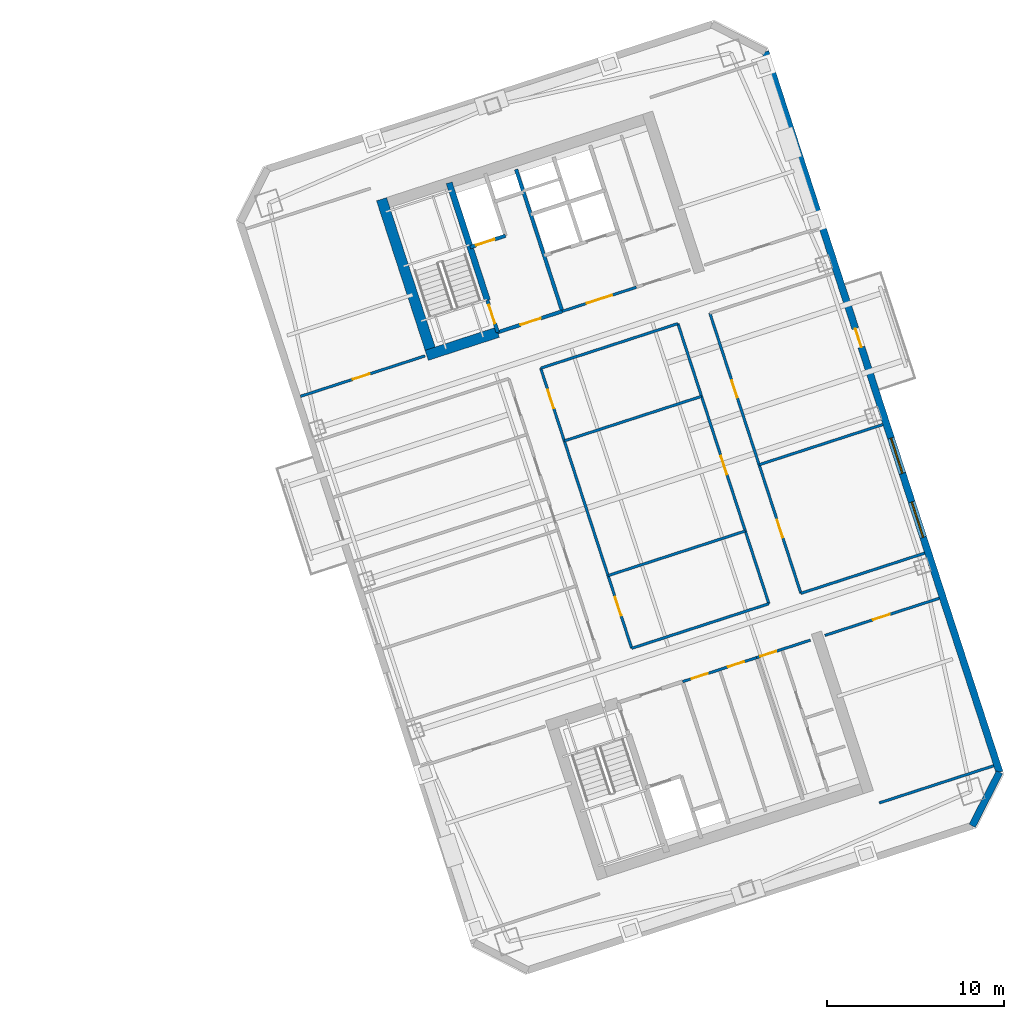
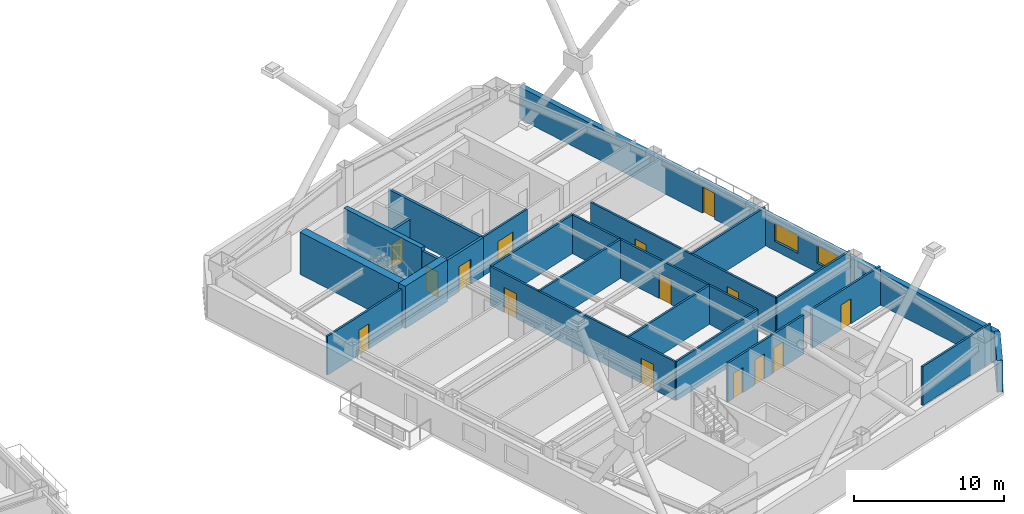
# One storey, part 10 of 17: 24 walls, 15 doors, 2 windows, 17 openings.
"""IFC4 building model written with IfcOpenShell, lengths in metres."""

from ifc_helpers import new_model, si_unit, direction, frame, frame_2d, origin, place, context, subcontext, project, spatial, rectangle, extrude, material, layer, layer_set, type_object, element, fill, save


model = new_model("IFC4")

# Units and contexts
model_context = context("Model", 3, precision=1e-05, world=origin(), true_north=direction((0.0, 1.0)))
body_context = subcontext(model_context, "Body", "Model", "MODEL_VIEW")
ifc_project = project(units=[si_unit("LENGTHUNIT", "METRE"), si_unit("AREAUNIT", "SQUARE_METRE"), si_unit("VOLUMEUNIT", "CUBIC_METRE"), si_unit("PLANEANGLEUNIT", "RADIAN"), si_unit("MASSUNIT", "GRAM", prefix="KILO")], contexts=[model_context])

# Site, building, storey
site_placement = place(None, origin())
site = spatial("IfcSite", under=ifc_project, at=site_placement, CompositionType="ELEMENT")
building_placement = place(site_placement, origin())
building = spatial("IfcBuilding", under=site, at=building_placement, Name="Qiaolan Cultural Towers", CompositionType="ELEMENT")
storey_placement = place(building_placement, frame((0.0, 0.0, 177.10009765625)))
storey = spatial("IfcBuildingStorey", under=building, at=storey_placement, Name="L47", CompositionType="ELEMENT", Elevation=177.10009765625)

# Walls
ifc_material_1 = material(Name="Concrete C50", Category="concrete")
ifc_layer_1 = layer(ifc_material_1, 0.35009765625)
ifc_layer_set_1 = layer_set([ifc_layer_1], Name="Concrete C50")
wall_type_1 = type_object("IfcWallType", Name="WL-CORE-350", PredefinedType="SHEAR", material=ifc_layer_set_1)
wall_1_placement = place(storey_placement, frame((82.513671875, 45.13134765625, 0.0), z_axis=(0.0, 0.0, 1.0), x_axis=(-0.308988790936, 0.951065679686, 0.0)))
element("IfcWall", 1, at=wall_1_placement, inside=storey, type_object=wall_type_1, Name="L47 T2-CN Stair Core Dividing Web", PredefinedType="SHEAR", context=body_context, shape_type="SweptSolid", body=[
    extrude(rectangle(XDim=6.97998046875, YDim=0.35009765625, at=frame_2d((3.489990234375, 0.0))), origin(), (0.0, 0.0, 1.0), 3.449951171875),
])
ifc_material_2 = material(Name="Concrete C55", Category="concrete")
ifc_layer_2 = layer(ifc_material_2, 0.60009765625)
ifc_layer_set_2 = layer_set([ifc_layer_2], Name="Concrete C55")
wall_type_2 = type_object("IfcWallType", Name="WL-CORE-600", PredefinedType="SHEAR", material=ifc_layer_set_2)
wall_2_placement = place(storey_placement, frame((79.465576171875, 41.827880859375, 0.0), z_axis=(0.0, 0.0, 1.0), x_axis=(-0.309041232772, 0.951048640421, 0.0)))
element("IfcWall", 2, at=wall_2_placement, inside=storey, type_object=wall_type_2, Name="L47 T2-CN West Core Shear Wall", PredefinedType="SHEAR", context=body_context, shape_type="SweptSolid", body=[
    extrude(rectangle(XDim=9.47998046875, YDim=0.60009765625, at=frame_2d((4.739990234375, 0.0))), origin(), (0.0, 0.0, 1.0), 3.449951171875),
])
wall_3_placement = place(storey_placement, frame((79.08740234375, 42.0205078125, 0.0), z_axis=(0.0, 0.0, 1.0), x_axis=(0.951062550203, 0.3089984233, 0.0)))
element("IfcWall", 3, at=wall_3_placement, inside=storey, type_object=wall_type_2, Name="L47 T2-CN Stair Front Shear Wall", PredefinedType="SHEAR", context=body_context, shape_type="SweptSolid", body=[
    extrude(rectangle(XDim=4.219970703125, YDim=0.60009765625, at=frame_2d((2.10986328125, 0.0))), origin(), (0.0, 0.0, 1.0), 3.449951171875),
])

# Wall, openings, door, windows
ifc_material_3 = material(Name="Precast Concrete C50 Honed Stone Pier", Category="masonry")
ifc_layer_3 = layer(ifc_material_3, 0.39990234375)
ifc_layer_set_3 = layer_set([ifc_layer_3], Name="Precast Concrete C50 Honed Stone Pier")
wall_type_3 = type_object("IfcWallType", Name="WL-EXT-PIER-400", PredefinedType="SOLIDWALL", material=ifc_layer_set_3)
wall_4_placement = place(storey_placement, frame((98.2236328125, 59.17333984375, 0.0), z_axis=(0.0, 0.0, 1.0), x_axis=(0.309014228706, -0.951057414911, 0.0)))
wall_4 = element("IfcWall", 4, at=wall_4_placement, inside=storey, type_object=wall_type_3, Name="L47 East Tower Precast Pier Facade Wall F5", PredefinedType="SOLIDWALL", context=body_context, shape_type="SweptSolid", body=[
    extrude(rectangle(XDim=42.800048828125, YDim=0.39990234375, at=frame_2d((21.39990234375, 0.0))), origin(), (0.0, 0.0, 1.0), 2.60986328125),
])
opening_1_placement = place(wall_4_placement, frame((26.75, 0.0, 0.75)))
opening_1 = element("IfcOpeningElement", 5, at=opening_1_placement, cuts=wall_4, Name="Opening W-05", PredefinedType="OPENING", context=body_context, shape_type="SweptSolid", body=[
    extrude(rectangle(XDim=2.10009765625, YDim=1.4599609375, at=frame_2d((1.050048828125, 0.72998046875))), frame((0.0, 0.2099609375, 0.0), z_axis=(0.0, -1.0, 0.0), x_axis=(1.0, 0.0, 0.0)), (0.0, 0.0, 1.0), 0.419921875),
])
opening_2_placement = place(wall_4_placement, frame((22.949951171875, 0.0, 0.75)))
opening_2 = element("IfcOpeningElement", 6, at=opening_2_placement, cuts=wall_4, Name="Opening W-05", PredefinedType="OPENING", context=body_context, shape_type="SweptSolid", body=[
    extrude(rectangle(XDim=2.10009765625, YDim=1.4599609375, at=frame_2d((1.050048828125, 0.72998046875))), frame((0.0, 0.2099609375, 0.0), z_axis=(0.0, -1.0, 0.0), x_axis=(1.0, 0.0, 0.0)), (0.0, 0.0, 1.0), 0.419921875),
])
opening_3_placement = place(wall_4_placement, frame((16.449951171875, 0.0, 0.0)))
opening_3 = element("IfcOpeningElement", 7, at=opening_3_placement, cuts=wall_4, Name="Opening BD-01", PredefinedType="OPENING", context=body_context, shape_type="SweptSolid", body=[
    extrude(rectangle(XDim=1.10009765625, YDim=2.14990234375, at=frame_2d((0.550048828125, 1.074951171875))), frame((0.0, 0.2099609375, 0.0), z_axis=(0.0, -1.0, 0.0), x_axis=(1.0, 0.0, 0.0)), (0.0, 0.0, 1.0), 0.419921875),
])
ifc_material_4 = material(Name="Thermally Broken Aluminium Glazed Terrace Door", Category="aluminium")
door_type_1 = type_object("IfcDoorType", Name="DR-BAL-1100", OperationType="NOTDEFINED", PredefinedType="DOOR", material=ifc_material_4)
door_1_placement = place(opening_3_placement, origin())
door_1 = element("IfcDoor", 8, at=door_1_placement, inside=storey, type_object=door_type_1, Name="L47 T2 East Tree Balcony Door", OperationType="SINGLE_SWING_RIGHT", OverallHeight=2.14990234375, OverallWidth=1.10009765625, PredefinedType="DOOR", context=body_context, shape_type="SweptSolid", body=[
    extrude(rectangle(XDim=1.10009765625, YDim=2.14990234375, at=frame_2d((0.550048828125, 1.074951171875))), frame((0.0, 0.02490234375, 0.0), z_axis=(0.0, -1.0, 0.0), x_axis=(1.0, 0.0, 0.0)), (0.0, 0.0, 1.0), 0.050048828125),
])
fill(opening_3, door_1)
ifc_material_5 = material(Name="Thermally Broken Aluminium Triple Low-E Glazing", Category="aluminium")
window_type = type_object("IfcWindowType", Name="WN-CHIC-2100", PartitioningType="SINGLE_PANEL", PredefinedType="WINDOW", material=ifc_material_5)
window_1_placement = place(opening_1_placement, origin())
window_1 = element("IfcWindow", 9, at=window_1_placement, inside=storey, type_object=window_type, Name="L47 T2 E Chicago Bay Window 1", OverallHeight=1.4599609375, OverallWidth=2.10009765625, PartitioningType="TRIPLE_PANEL_VERTICAL", PredefinedType="WINDOW", context=body_context, shape_type="SweptSolid", body=[
    extrude(rectangle(XDim=2.10009765625, YDim=1.4599609375, at=frame_2d((1.050048828125, 0.72998046875))), frame((0.0, 0.030029296875, 0.0), z_axis=(0.0, -1.0, 0.0), x_axis=(1.0, 0.0, 0.0)), (0.0, 0.0, 1.0), 0.06005859375),
])
fill(opening_1, window_1)
window_2_placement = place(opening_2_placement, origin())
window_2 = element("IfcWindow", 10, at=window_2_placement, inside=storey, type_object=window_type, Name="L47 T2 E Chicago Bay Window 2", OverallHeight=1.4599609375, OverallWidth=2.10009765625, PartitioningType="TRIPLE_PANEL_VERTICAL", PredefinedType="WINDOW", context=body_context, shape_type="SweptSolid", body=[
    extrude(rectangle(XDim=2.10009765625, YDim=1.4599609375, at=frame_2d((1.050048828125, 0.72998046875))), frame((0.0, 0.030029296875, 0.0), z_axis=(0.0, -1.0, 0.0), x_axis=(1.0, 0.0, 0.0)), (0.0, 0.0, 1.0), 0.06005859375),
])
fill(opening_2, window_2)

# Wall
wall_5_placement = place(storey_placement, frame((111.449462890625, 18.468017578125, 0.0), z_axis=(0.0, 0.0, 1.0), x_axis=(-0.454019523198, -0.890991735402, 0.0)))
element("IfcWall", 11, at=wall_5_placement, inside=storey, type_object=wall_type_3, Name="L47 East Tower Precast Pier Facade Wall F6", PredefinedType="SOLIDWALL", context=body_context, shape_type="SweptSolid", body=[
    extrude(rectangle(XDim=3.39404296875, YDim=0.39990234375, at=frame_2d((1.697021484375, 0.0))), origin(), (0.0, 0.0, 1.0), 2.60986328125),
])

# Wall, opening, door
ifc_material_6 = material(Name="Concrete C35 Fire Wall", Category="concrete")
ifc_layer_4 = layer(ifc_material_6, 0.199951171875)
ifc_layer_set_4 = layer_set([ifc_layer_4], Name="Concrete C35 Fire Wall")
wall_type_4 = type_object("IfcWallType", Name="WL-FIRE-200", PredefinedType="PARTITIONING", material=ifc_layer_set_4)
wall_6_placement = place(storey_placement, frame((83.100830078125, 43.324462890625, 0.0), z_axis=(0.0, 0.0, 1.0), x_axis=(-0.309048298632, 0.951046344356, 0.0)))
wall_6 = element("IfcWall", 12, at=wall_6_placement, inside=storey, type_object=wall_type_4, Name="L47 T2-CN Smokeproof Stair Entry Wall", PredefinedType="PARTITIONING", context=body_context, shape_type="SweptSolid", body=[
    extrude(rectangle(XDim=1.89990234375, YDim=0.199951171875, at=frame_2d((0.949951171875, 0.0))), origin(), (0.0, 0.0, 1.0), 3.1748046875),
])
opening_4_placement = place(wall_6_placement, frame((0.52001953125, 0.0, 0.0)))
opening_4 = element("IfcOpeningElement", 13, at=opening_4_placement, cuts=wall_6, Name="Opening FD-04", PredefinedType="OPENING", context=body_context, shape_type="SweptSolid", body=[
    extrude(rectangle(XDim=1.10009765625, YDim=2.050048828125, at=frame_2d((0.550048828125, 1.02490234375))), frame((0.0, 0.10986328125, 0.0), z_axis=(0.0, -1.0, 0.0), x_axis=(1.0, 0.0, 0.0)), (0.0, 0.0, 1.0), 0.219970703125),
])
ifc_material_7 = material(Name="Galvanized Steel Command Fire Door", Category="steel")
door_type_2 = type_object("IfcDoorType", Name="DR-FD90-1100", OperationType="NOTDEFINED", PredefinedType="DOOR", material=ifc_material_7)
door_2_placement = place(opening_4_placement, origin())
door_2 = element("IfcDoor", 14, at=door_2_placement, inside=storey, type_object=door_type_2, Name="L47 ST-E2 Smokeproof Stair Fire Door", OperationType="SINGLE_SWING_LEFT", OverallHeight=2.050048828125, OverallWidth=1.10009765625, PredefinedType="DOOR", context=body_context, shape_type="SweptSolid", body=[
    extrude(rectangle(XDim=1.10009765625, YDim=2.050048828125, at=frame_2d((0.550048828125, 1.02490234375))), frame((0.0, 0.02490234375, 0.0), z_axis=(0.0, -1.0, 0.0), x_axis=(1.0, 0.0, 0.0)), (0.0, 0.0, 1.0), 0.050048828125),
])
fill(opening_4, door_2)

# Wall
wall_7_placement = place(storey_placement, frame((86.743408203125, 44.508056640625, 0.0), z_axis=(0.0, 0.0, 1.0), x_axis=(-0.309016001439, 0.951056838919, 0.0)))
element("IfcWall", 15, at=wall_7_placement, inside=storey, type_object=wall_type_4, Name="L47 T2-CN Firefighting Zone Wall", PredefinedType="PARTITIONING", context=body_context, shape_type="SweptSolid", body=[
    extrude(rectangle(XDim=8.429931640625, YDim=0.199951171875, at=frame_2d((4.21484375, 0.0))), origin(), (0.0, 0.0, 1.0), 3.1748046875),
])

# Wall, opening, door
wall_8_placement = place(storey_placement, frame((83.100830078125, 43.324462890625, 0.0), z_axis=(0.0, 0.0, 1.0), x_axis=(0.951052804469, 0.309028417967, 0.0)))
wall_8 = element("IfcWall", 16, at=wall_8_placement, inside=storey, type_object=wall_type_4, Name="L47 T2-CN Firefighting Lobby Front Wall", PredefinedType="PARTITIONING", context=body_context, shape_type="SweptSolid", body=[
    extrude(rectangle(XDim=3.830078125, YDim=0.199951171875, at=frame_2d((1.9150390625, 0.0))), origin(), (0.0, 0.0, 1.0), 3.1748046875),
])
opening_5_placement = place(wall_8_placement, frame((1.35009765625, 0.0, 0.0)))
opening_5 = element("IfcOpeningElement", 17, at=opening_5_placement, cuts=wall_8, Name="Opening FD-03", PredefinedType="OPENING", context=body_context, shape_type="SweptSolid", body=[
    extrude(rectangle(XDim=1.199951171875, YDim=2.050048828125, at=frame_2d((0.60009765625, 1.02490234375))), frame((0.0, 0.10986328125, 0.0), z_axis=(0.0, -1.0, 0.0), x_axis=(1.0, 0.0, 0.0)), (0.0, 0.0, 1.0), 0.219970703125),
])
ifc_material_8 = material(Name="Galvanized Steel Smokeproof Lobby Fire Door", Category="steel")
door_type_3 = type_object("IfcDoorType", Name="DR-FD90-1200", OperationType="NOTDEFINED", PredefinedType="DOOR", material=ifc_material_8)
door_3_placement = place(opening_5_placement, origin())
door_3 = element("IfcDoor", 18, at=door_3_placement, inside=storey, type_object=door_type_3, Name="L47 FFL-E2 Firefighting Lobby Fire Door", OperationType="SINGLE_SWING_LEFT", OverallHeight=2.050048828125, OverallWidth=1.199951171875, PredefinedType="DOOR", context=body_context, shape_type="SweptSolid", body=[
    extrude(rectangle(XDim=1.199951171875, YDim=2.050048828125, at=frame_2d((0.60009765625, 1.02490234375))), frame((0.0, 0.02490234375, 0.0), z_axis=(0.0, -1.0, 0.0), x_axis=(1.0, 0.0, 0.0)), (0.0, 0.0, 1.0), 0.050048828125),
])
fill(opening_5, door_3)

wall_9_placement = place(storey_placement, frame((81.540283203125, 48.127197265625, 0.0), z_axis=(0.0, 0.0, 1.0), x_axis=(0.951062257173, 0.308999325213, 0.0)))
wall_9 = element("IfcWall", 19, at=wall_9_placement, inside=storey, type_object=wall_type_4, Name="L47 T2-CN Firefighting Shaft Front Wall", PredefinedType="PARTITIONING", context=body_context, shape_type="SweptSolid", body=[
    extrude(rectangle(XDim=2.10009765625, YDim=0.199951171875, at=frame_2d((1.050048828125, 0.0))), origin(), (0.0, 0.0, 1.0), 3.1748046875),
])
opening_6_placement = place(wall_9_placement, frame((0.35009765625, 0.0, 0.0)))
opening_6 = element("IfcOpeningElement", 20, at=opening_6_placement, cuts=wall_9, Name="Opening LD-01", PredefinedType="OPENING", context=body_context, shape_type="SweptSolid", body=[
    extrude(rectangle(XDim=1.10009765625, YDim=2.050048828125, at=frame_2d((0.550048828125, 1.02490234375))), frame((0.0, 0.10986328125, 0.0), z_axis=(0.0, -1.0, 0.0), x_axis=(1.0, 0.0, 0.0)), (0.0, 0.0, 1.0), 0.219970703125),
])
ifc_material_9 = material(Name="Brushed Stainless Steel S30408 Centre-Parting Lift Landing Door", Category="steel")
door_type_4 = type_object("IfcDoorType", Name="DR-LIFT-1100", OperationType="NOTDEFINED", PredefinedType="DOOR", material=ifc_material_9)
door_4_placement = place(opening_6_placement, origin())
door_4 = element("IfcDoor", 21, at=door_4_placement, inside=storey, type_object=door_type_4, Name="L47 FFL-E2 Firefighting Lift Landing Door", OperationType="DOUBLE_DOOR_SLIDING", OverallHeight=2.050048828125, OverallWidth=1.10009765625, PredefinedType="DOOR", context=body_context, shape_type="SweptSolid", body=[
    extrude(rectangle(XDim=1.10009765625, YDim=2.050048828125, at=frame_2d((0.550048828125, 1.02490234375))), frame((0.0, 0.02490234375, 0.0), z_axis=(0.0, -1.0, 0.0), x_axis=(1.0, 0.0, 0.0)), (0.0, 0.0, 1.0), 0.050048828125),
])
fill(opening_6, door_4)

# Wall, openings, doors
ifc_material_10 = material(Name="Autoclaved Aerated Concrete Block B06", Category="concrete")
ifc_layer_5 = layer(ifc_material_10, 0.14990234375)
ifc_layer_set_5 = layer_set([ifc_layer_5], Name="Autoclaved Aerated Concrete Block B06")
wall_type_5 = type_object("IfcWallType", Name="WL-PART-150", PredefinedType="PARTITIONING", material=ifc_layer_set_5)
wall_10_placement = place(storey_placement, frame((93.541748046875, 23.584716796875, 0.0), z_axis=(0.0, 0.0, 1.0), x_axis=(0.951063829732, 0.308994485023, 0.0)))
wall_10 = element("IfcWall", 22, at=wall_10_placement, inside=storey, type_object=wall_type_5, Name="L47 T2-CS Reclaimed Core Room Front Wall", PredefinedType="PARTITIONING", context=body_context, shape_type="SweptSolid", body=[
    extrude(rectangle(XDim=4.400146484375, YDim=0.14990234375, at=frame_2d((2.2001953125, 0.0))), origin(), (0.0, 0.0, 1.0), 3.1748046875),
])
opening_7_placement = place(wall_10_placement, frame((0.550048828125, 0.0, 0.0)))
opening_7 = element("IfcOpeningElement", 23, at=opening_7_placement, cuts=wall_10, Name="Opening ID-05", PredefinedType="OPENING", context=body_context, shape_type="SweptSolid", body=[
    extrude(rectangle(XDim=0.949951171875, YDim=2.050048828125, at=frame_2d((0.47509765625, 1.02490234375))), frame((0.0, 0.0849609375, 0.0), z_axis=(0.0, -1.0, 0.0), x_axis=(1.0, 0.0, 0.0)), (0.0, 0.0, 1.0), 0.169921875),
])
opening_8_placement = place(wall_10_placement, frame((2.699951171875, 0.0, 0.0)))
opening_8 = element("IfcOpeningElement", 24, at=opening_8_placement, cuts=wall_10, Name="Opening ID-05", PredefinedType="OPENING", context=body_context, shape_type="SweptSolid", body=[
    extrude(rectangle(XDim=0.949951171875, YDim=2.050048828125, at=frame_2d((0.47509765625, 1.02490234375))), frame((0.0, 0.0849609375, 0.0), z_axis=(0.0, -1.0, 0.0), x_axis=(1.0, 0.0, 0.0)), (0.0, 0.0, 1.0), 0.169921875),
])
ifc_material_11 = material(Name="Fire-Rated Laminate Accessible Core Door", Category="timber")
door_type_5 = type_object("IfcDoorType", Name="DR-INT-950", OperationType="NOTDEFINED", PredefinedType="DOOR", material=ifc_material_11)
door_5_placement = place(opening_7_placement, origin())
door_5 = element("IfcDoor", 25, at=door_5_placement, inside=storey, type_object=door_type_5, Name="L47 Copy Print Room Door", OperationType="SINGLE_SWING_LEFT", OverallHeight=2.050048828125, OverallWidth=0.949951171875, PredefinedType="DOOR", context=body_context, shape_type="SweptSolid", body=[
    extrude(rectangle(XDim=0.949951171875, YDim=2.050048828125, at=frame_2d((0.47509765625, 1.02490234375))), frame((0.0, 0.02490234375, 0.0), z_axis=(0.0, -1.0, 0.0), x_axis=(1.0, 0.0, 0.0)), (0.0, 0.0, 1.0), 0.050048828125),
])
fill(opening_7, door_5)
door_6_placement = place(opening_8_placement, origin())
door_6 = element("IfcDoor", 26, at=door_6_placement, inside=storey, type_object=door_type_5, Name="L47 Tea Pantry Room Door", OperationType="SINGLE_SWING_RIGHT", OverallHeight=2.050048828125, OverallWidth=0.949951171875, PredefinedType="DOOR", context=body_context, shape_type="SweptSolid", body=[
    extrude(rectangle(XDim=0.949951171875, YDim=2.050048828125, at=frame_2d((0.47509765625, 1.02490234375))), frame((0.0, 0.02490234375, 0.0), z_axis=(0.0, -1.0, 0.0), x_axis=(1.0, 0.0, 0.0)), (0.0, 0.0, 1.0), 0.050048828125),
])
fill(opening_8, door_6)

# Wall, opening, door
wall_11_placement = place(storey_placement, frame((97.7265625, 24.9443359375, 0.0), z_axis=(0.0, 0.0, 1.0), x_axis=(0.951036872128, 0.309077446369, 0.0)))
wall_11 = element("IfcWall", 27, at=wall_11_placement, inside=storey, type_object=wall_type_5, Name="L47 T2-CS Sanitary Core Front Wall", PredefinedType="PARTITIONING", context=body_context, shape_type="SweptSolid", body=[
    extrude(rectangle(XDim=3.199951171875, YDim=0.14990234375, at=frame_2d((1.60009765625, 0.0))), origin(), (0.0, 0.0, 1.0), 3.1748046875),
])
opening_9_placement = place(wall_11_placement, frame((0.219970703125, 0.0, 0.0)))
opening_9 = element("IfcOpeningElement", 28, at=opening_9_placement, cuts=wall_11, Name="Opening ID-05", PredefinedType="OPENING", context=body_context, shape_type="SweptSolid", body=[
    extrude(rectangle(XDim=0.949951171875, YDim=2.050048828125, at=frame_2d((0.47509765625, 1.02490234375))), frame((0.0, 0.0849609375, 0.0), z_axis=(0.0, -1.0, 0.0), x_axis=(1.0, 0.0, 0.0)), (0.0, 0.0, 1.0), 0.169921875),
])
door_7_placement = place(opening_9_placement, origin())
door_7 = element("IfcDoor", 29, at=door_7_placement, inside=storey, type_object=door_type_5, Name="L47 Sanitary Vestibule Door", OperationType="SINGLE_SWING_LEFT", OverallHeight=2.050048828125, OverallWidth=0.949951171875, PredefinedType="DOOR", context=body_context, shape_type="SweptSolid", body=[
    extrude(rectangle(XDim=0.949951171875, YDim=2.050048828125, at=frame_2d((0.47509765625, 1.02490234375))), frame((0.0, 0.02490234375, 0.0), z_axis=(0.0, -1.0, 0.0), x_axis=(1.0, 0.0, 0.0)), (0.0, 0.0, 1.0), 0.050048828125),
])
fill(opening_9, door_7)

wall_12_placement = place(storey_placement, frame((86.743408203125, 44.508056640625, 0.0), z_axis=(0.0, 0.0, 1.0), x_axis=(0.951063829732, 0.308994485023, 0.0)))
wall_12 = element("IfcWall", 30, at=wall_12_placement, inside=storey, type_object=wall_type_5, Name="L47 T2-CN Passenger Lift Lobby Front Wall", PredefinedType="PARTITIONING", context=body_context, shape_type="SweptSolid", body=[
    extrude(rectangle(XDim=4.400146484375, YDim=0.14990234375, at=frame_2d((2.2001953125, 0.0))), origin(), (0.0, 0.0, 1.0), 3.1748046875),
])
opening_10_placement = place(wall_12_placement, frame((1.449951171875, 0.0, 0.0)))
opening_10 = element("IfcOpeningElement", 31, at=opening_10_placement, cuts=wall_12, Name="Opening FD-05", PredefinedType="OPENING", context=body_context, shape_type="SweptSolid", body=[
    extrude(rectangle(XDim=1.5, YDim=2.050048828125, at=frame_2d((0.75, 1.02490234375))), frame((0.0, 0.0849609375, 0.0), z_axis=(0.0, -1.0, 0.0), x_axis=(1.0, 0.0, 0.0)), (0.0, 0.0, 1.0), 0.169921875),
])
ifc_material_12 = material(Name="Painted Steel Lift Lobby Fire Door", Category="steel")
door_type_6 = type_object("IfcDoorType", Name="DR-FD60-1500", OperationType="NOTDEFINED", PredefinedType="DOOR", material=ifc_material_12)
door_8_placement = place(opening_10_placement, origin())
door_8 = element("IfcDoor", 32, at=door_8_placement, inside=storey, type_object=door_type_6, Name="L47 Passenger Lift Lobby Entrance", OperationType="SINGLE_SWING_LEFT", OverallHeight=2.050048828125, OverallWidth=1.5, PredefinedType="DOOR", context=body_context, shape_type="SweptSolid", body=[
    extrude(rectangle(XDim=1.5, YDim=2.050048828125, at=frame_2d((0.75, 1.02490234375))), frame((0.0, 0.02490234375, 0.0), z_axis=(0.0, -1.0, 0.0), x_axis=(1.0, 0.0, 0.0)), (0.0, 0.0, 1.0), 0.050048828125),
])
fill(opening_10, door_8)

# Wall
wall_13_placement = place(storey_placement, frame((104.653076171875, 16.73291015625, 0.0), z_axis=(0.0, 0.0, 1.0), x_axis=(0.951054383043, 0.309023559774, 0.0)))
element("IfcWall", 33, at=wall_13_placement, inside=storey, type_object=wall_type_5, Name="L47 T2 Flank Wall FLK-SE", PredefinedType="PARTITIONING", context=body_context, shape_type="SweptSolid", body=[
    extrude(rectangle(XDim=6.7998046875, YDim=0.14990234375, at=frame_2d((3.39990234375, 0.0))), origin(), (0.0, 0.0, 1.0), 3.1748046875),
])

# Wall, opening, door
wall_14_placement = place(storey_placement, frame((101.578369140625, 26.196044921875, 0.0), z_axis=(0.0, 0.0, 1.0), x_axis=(0.951064934653, 0.308991084134, 0.0)))
wall_14 = element("IfcWall", 34, at=wall_14_placement, inside=storey, type_object=wall_type_5, Name="L47 T2 Flank Front FLK-SE", PredefinedType="PARTITIONING", context=body_context, shape_type="SweptSolid", body=[
    extrude(rectangle(XDim=6.7998046875, YDim=0.14990234375, at=frame_2d((3.39990234375, 0.0))), origin(), (0.0, 0.0, 1.0), 3.1748046875),
])
opening_11_placement = place(wall_14_placement, frame((2.85595703125, 0.0, 0.0)))
opening_11 = element("IfcOpeningElement", 35, at=opening_11_placement, cuts=wall_14, Name="Opening ID-04", PredefinedType="OPENING", context=body_context, shape_type="SweptSolid", body=[
    extrude(rectangle(XDim=1.0, YDim=2.050048828125, at=frame_2d((0.5, 1.02490234375))), frame((0.0, 0.0849609375, 0.0), z_axis=(0.0, -1.0, 0.0), x_axis=(1.0, 0.0, 0.0)), (0.0, 0.0, 1.0), 0.169921875),
])
ifc_material_13 = material(Name="Oak Veneer Acoustic Office Door", Category="timber")
door_type_7 = type_object("IfcDoorType", Name="DR-INT-1000", OperationType="NOTDEFINED", PredefinedType="DOOR", material=ifc_material_13)
door_9_placement = place(opening_11_placement, origin())
door_9 = element("IfcDoor", 36, at=door_9_placement, inside=storey, type_object=door_type_7, Name="L47 T2 Corner Studio Door", OperationType="SINGLE_SWING_LEFT", OverallHeight=2.050048828125, OverallWidth=1.0, PredefinedType="DOOR", context=body_context, shape_type="SweptSolid", body=[
    extrude(rectangle(XDim=1.0, YDim=2.050048828125, at=frame_2d((0.5, 1.02490234375))), frame((0.0, 0.02490234375, 0.0), z_axis=(0.0, -1.0, 0.0), x_axis=(1.0, 0.0, 0.0)), (0.0, 0.0, 1.0), 0.050048828125),
])
fill(opening_11, door_9)

wall_15_placement = place(storey_placement, frame((71.95458984375, 39.702880859375, 0.0), z_axis=(0.0, 0.0, 1.0), x_axis=(0.951060977215, 0.309003264738, 0.0)))
wall_15 = element("IfcWall", 37, at=wall_15_placement, inside=storey, type_object=wall_type_5, Name="L47 T2 Flank Front FLK-NW", PredefinedType="PARTITIONING", context=body_context, shape_type="SweptSolid", body=[
    extrude(rectangle(XDim=7.39990234375, YDim=0.14990234375, at=frame_2d((3.699951171875, 0.0))), origin(), (0.0, 0.0, 1.0), 3.1748046875),
])
opening_12_placement = place(wall_15_placement, frame((3.10791015625, 0.0, 0.0)))
opening_12 = element("IfcOpeningElement", 38, at=opening_12_placement, cuts=wall_15, Name="Opening ID-04", PredefinedType="OPENING", context=body_context, shape_type="SweptSolid", body=[
    extrude(rectangle(XDim=1.0, YDim=2.050048828125, at=frame_2d((0.5, 1.02490234375))), frame((0.0, 0.0849609375, 0.0), z_axis=(0.0, -1.0, 0.0), x_axis=(1.0, 0.0, 0.0)), (0.0, 0.0, 1.0), 0.169921875),
])
door_10_placement = place(opening_12_placement, origin())
door_10 = element("IfcDoor", 39, at=door_10_placement, inside=storey, type_object=door_type_7, Name="L47 T2 Corner Studio Door", OperationType="SINGLE_SWING_LEFT", OverallHeight=2.050048828125, OverallWidth=1.0, PredefinedType="DOOR", context=body_context, shape_type="SweptSolid", body=[
    extrude(rectangle(XDim=1.0, YDim=2.050048828125, at=frame_2d((0.5, 1.02490234375))), frame((0.0, 0.02490234375, 0.0), z_axis=(0.0, -1.0, 0.0), x_axis=(1.0, 0.0, 0.0)), (0.0, 0.0, 1.0), 0.050048828125),
])
fill(opening_12, door_10)

# Walls
wall_16_placement = place(storey_placement, frame((90.6689453125, 25.46923828125, 0.0), z_axis=(0.0, 0.0, 1.0), x_axis=(0.95106136293, 0.309002077568, 0.0)))
element("IfcWall", 40, at=wall_16_placement, inside=storey, type_object=wall_type_5, Name="L47 T2 Interior Wall", PredefinedType="PARTITIONING", context=body_context, shape_type="SweptSolid", body=[
    extrude(rectangle(XDim=8.14990234375, YDim=0.14990234375, at=frame_2d((4.074951171875, 0.0))), origin(), (0.0, 0.0, 1.0), 3.1748046875),
])
wall_17_placement = place(storey_placement, frame((100.22705078125, 28.57470703125, 0.0), z_axis=(0.0, 0.0, 1.0), x_axis=(0.95104773735, 0.309044011885, 0.0)))
element("IfcWall", 41, at=wall_17_placement, inside=storey, type_object=wall_type_5, Name="L47 T2 Interior Wall", PredefinedType="PARTITIONING", context=body_context, shape_type="SweptSolid", body=[
    extrude(rectangle(XDim=7.35009765625, YDim=0.14990234375, at=frame_2d((3.675048828125, 0.0))), origin(), (0.0, 0.0, 1.0), 3.1748046875),
])
wall_18_placement = place(storey_placement, frame((85.52685546875, 41.294677734375, 0.0), z_axis=(0.0, 0.0, 1.0), x_axis=(0.951055419664, 0.309020369437, 0.0)))
element("IfcWall", 42, at=wall_18_placement, inside=storey, type_object=wall_type_5, Name="L47 T2 Interior Wall", PredefinedType="PARTITIONING", context=body_context, shape_type="SweptSolid", body=[
    extrude(rectangle(XDim=8.150146484375, YDim=0.14990234375, at=frame_2d((4.0751953125, 0.0))), origin(), (0.0, 0.0, 1.0), 3.1748046875),
])

# Wall, openings, doors
wall_19_placement = place(storey_placement, frame((90.6689453125, 25.46923828125, 0.0), z_axis=(0.0, 0.0, 1.0), x_axis=(-0.309022042254, 0.951054876125, 0.0)))
wall_19 = element("IfcWall", 43, at=wall_19_placement, inside=storey, type_object=wall_type_5, Name="L47 T2 Interior Wall", PredefinedType="PARTITIONING", context=body_context, shape_type="SweptSolid", body=[
    extrude(rectangle(XDim=16.639892578125, YDim=0.14990234375, at=frame_2d((8.31982421875, 0.0))), origin(), (0.0, 0.0, 1.0), 3.1748046875),
])
opening_13_placement = place(wall_19_placement, frame((1.944091796875, 0.0, 0.0)))
opening_13 = element("IfcOpeningElement", 44, at=opening_13_placement, cuts=wall_19, Name="Opening ID-03", PredefinedType="OPENING", context=body_context, shape_type="SweptSolid", body=[
    extrude(rectangle(XDim=1.10009765625, YDim=2.050048828125, at=frame_2d((0.550048828125, 1.02490234375))), frame((0.0, 0.0849609375, 0.0), z_axis=(0.0, -1.0, 0.0), x_axis=(1.0, 0.0, 0.0)), (0.0, 0.0, 1.0), 0.169921875),
])
opening_14_placement = place(wall_19_placement, frame((14.263916015625, 0.0, 0.0)))
opening_14 = element("IfcOpeningElement", 45, at=opening_14_placement, cuts=wall_19, Name="Opening ID-03", PredefinedType="OPENING", context=body_context, shape_type="SweptSolid", body=[
    extrude(rectangle(XDim=1.10009765625, YDim=2.050048828125, at=frame_2d((0.550048828125, 1.02490234375))), frame((0.0, 0.0849609375, 0.0), z_axis=(0.0, -1.0, 0.0), x_axis=(1.0, 0.0, 0.0)), (0.0, 0.0, 1.0), 0.169921875),
])
ifc_material_14 = material(Name="Oak Veneer Solid-Core Boardroom Door", Category="timber")
door_type_8 = type_object("IfcDoorType", Name="DR-INT-1100", OperationType="NOTDEFINED", PredefinedType="DOOR", material=ifc_material_14)
door_11_placement = place(opening_13_placement, origin())
door_11 = element("IfcDoor", 46, at=door_11_placement, inside=storey, type_object=door_type_8, Name="L47 T2 Central Boardroom Door", OperationType="SINGLE_SWING_LEFT", OverallHeight=2.050048828125, OverallWidth=1.10009765625, PredefinedType="DOOR", context=body_context, shape_type="SweptSolid", body=[
    extrude(rectangle(XDim=1.10009765625, YDim=2.050048828125, at=frame_2d((0.550048828125, 1.02490234375))), frame((0.0, 0.02490234375, 0.0), z_axis=(0.0, -1.0, 0.0), x_axis=(1.0, 0.0, 0.0)), (0.0, 0.0, 1.0), 0.050048828125),
])
fill(opening_13, door_11)
door_12_placement = place(opening_14_placement, origin())
door_12 = element("IfcDoor", 47, at=door_12_placement, inside=storey, type_object=door_type_8, Name="L47 T2 Central Archive Room Door", OperationType="SINGLE_SWING_RIGHT", OverallHeight=2.050048828125, OverallWidth=1.10009765625, PredefinedType="DOOR", context=body_context, shape_type="SweptSolid", body=[
    extrude(rectangle(XDim=1.10009765625, YDim=2.050048828125, at=frame_2d((0.550048828125, 1.02490234375))), frame((0.0, 0.02490234375, 0.0), z_axis=(0.0, -1.0, 0.0), x_axis=(1.0, 0.0, 0.0)), (0.0, 0.0, 1.0), 0.050048828125),
])
fill(opening_14, door_12)

# Wall, opening, door
wall_20_placement = place(storey_placement, frame((98.419921875, 27.987548828125, 0.0), z_axis=(0.0, 0.0, 1.0), x_axis=(-0.309004459387, 0.951060589068, 0.0)))
wall_20 = element("IfcWall", 48, at=wall_20_placement, inside=storey, type_object=wall_type_5, Name="L47 T2 Interior Wall", PredefinedType="PARTITIONING", context=body_context, shape_type="SweptSolid", body=[
    extrude(rectangle(XDim=16.64013671875, YDim=0.14990234375, at=frame_2d((8.320068359375, 0.0))), origin(), (0.0, 0.0, 1.0), 3.1748046875),
])
opening_15_placement = place(wall_20_placement, frame((7.679931640625, 0.0, 0.0)))
opening_15 = element("IfcOpeningElement", 49, at=opening_15_placement, cuts=wall_20, Name="Opening ID-03", PredefinedType="OPENING", context=body_context, shape_type="SweptSolid", body=[
    extrude(rectangle(XDim=1.10009765625, YDim=2.050048828125, at=frame_2d((0.550048828125, 1.02490234375))), frame((0.0, 0.0849609375, 0.0), z_axis=(0.0, -1.0, 0.0), x_axis=(1.0, 0.0, 0.0)), (0.0, 0.0, 1.0), 0.169921875),
])
door_13_placement = place(opening_15_placement, origin())
door_13 = element("IfcDoor", 50, at=door_13_placement, inside=storey, type_object=door_type_8, Name="L47 T2 Central Study Salon Door", OperationType="SINGLE_SWING_LEFT", OverallHeight=2.050048828125, OverallWidth=1.10009765625, PredefinedType="DOOR", context=body_context, shape_type="SweptSolid", body=[
    extrude(rectangle(XDim=1.10009765625, YDim=2.050048828125, at=frame_2d((0.550048828125, 1.02490234375))), frame((0.0, 0.02490234375, 0.0), z_axis=(0.0, -1.0, 0.0), x_axis=(1.0, 0.0, 0.0)), (0.0, 0.0, 1.0), 0.050048828125),
])
fill(opening_15, door_13)

# Wall, openings, doors
wall_21_placement = place(storey_placement, frame((100.22705078125, 28.57470703125, 0.0), z_axis=(0.0, 0.0, 1.0), x_axis=(-0.30901773025, 0.951056277195, 0.0)))
wall_21 = element("IfcWall", 51, at=wall_21_placement, inside=storey, type_object=wall_type_5, Name="L47 T2 Interior Wall", PredefinedType="PARTITIONING", context=body_context, shape_type="SweptSolid", body=[
    extrude(rectangle(XDim=16.64013671875, YDim=0.14990234375, at=frame_2d((8.320068359375, 0.0))), origin(), (0.0, 0.0, 1.0), 3.1748046875),
])
opening_16_placement = place(wall_21_placement, frame((3.320068359375, 0.0, 0.0)))
opening_16 = element("IfcOpeningElement", 52, at=opening_16_placement, cuts=wall_21, Name="Opening ID-07", PredefinedType="OPENING", context=body_context, shape_type="SweptSolid", body=[
    extrude(rectangle(XDim=1.050048828125, YDim=2.050048828125, at=frame_2d((0.52490234375, 1.02490234375))), frame((0.0, 0.0849609375, 0.0), z_axis=(0.0, -1.0, 0.0), x_axis=(1.0, 0.0, 0.0)), (0.0, 0.0, 1.0), 0.169921875),
])
opening_17_placement = place(wall_21_placement, frame((11.639892578125, 0.0, 0.0)))
opening_17 = element("IfcOpeningElement", 53, at=opening_17_placement, cuts=wall_21, Name="Opening ID-04", PredefinedType="OPENING", context=body_context, shape_type="SweptSolid", body=[
    extrude(rectangle(XDim=1.0, YDim=2.050048828125, at=frame_2d((0.5, 1.02490234375))), frame((0.0, 0.0849609375, 0.0), z_axis=(0.0, -1.0, 0.0), x_axis=(1.0, 0.0, 0.0)), (0.0, 0.0, 1.0), 0.169921875),
])
door_14_placement = place(opening_17_placement, origin())
door_14 = element("IfcDoor", 54, at=door_14_placement, inside=storey, type_object=door_type_7, Name="L47 T2 Media Studio Office Door", OperationType="SINGLE_SWING_LEFT", OverallHeight=2.050048828125, OverallWidth=1.0, PredefinedType="DOOR", context=body_context, shape_type="SweptSolid", body=[
    extrude(rectangle(XDim=1.0, YDim=2.050048828125, at=frame_2d((0.5, 1.02490234375))), frame((0.0, 0.02490234375, 0.0), z_axis=(0.0, -1.0, 0.0), x_axis=(1.0, 0.0, 0.0)), (0.0, 0.0, 1.0), 0.050048828125),
])
fill(opening_17, door_14)
ifc_material_15 = material(Name="Oak Veneer Consultation Door", Category="timber")
door_type_9 = type_object("IfcDoorType", Name="DR-INT-1050", OperationType="NOTDEFINED", PredefinedType="DOOR", material=ifc_material_15)
door_15_placement = place(opening_16_placement, origin())
door_15 = element("IfcDoor", 55, at=door_15_placement, inside=storey, type_object=door_type_9, Name="L47 T2 Wellness & Rest Room Door", OperationType="SINGLE_SWING_RIGHT", OverallHeight=2.050048828125, OverallWidth=1.050048828125, PredefinedType="DOOR", context=body_context, shape_type="SweptSolid", body=[
    extrude(rectangle(XDim=1.050048828125, YDim=2.050048828125, at=frame_2d((0.52490234375, 1.02490234375))), frame((0.0, 0.02490234375, 0.0), z_axis=(0.0, -1.0, 0.0), x_axis=(1.0, 0.0, 0.0)), (0.0, 0.0, 1.0), 0.050048828125),
])
fill(opening_16, door_15)

# Walls
wall_22_placement = place(storey_placement, frame((89.333984375, 29.57763671875, 0.0), z_axis=(0.0, 0.0, 1.0), x_axis=(0.951052558989, 0.309029173445, 0.0)))
element("IfcWall", 56, at=wall_22_placement, inside=storey, type_object=wall_type_5, Name="L47 T2 Interior Wall", PredefinedType="PARTITIONING", context=body_context, shape_type="SweptSolid", body=[
    extrude(rectangle(XDim=8.14990234375, YDim=0.14990234375, at=frame_2d((4.074951171875, 0.0))), origin(), (0.0, 0.0, 1.0), 3.1748046875),
])
wall_23_placement = place(storey_placement, frame((86.86181640625, 37.186279296875, 0.0), z_axis=(0.0, 0.0, 1.0), x_axis=(0.95106422313, 0.308993274169, 0.0)))
element("IfcWall", 57, at=wall_23_placement, inside=storey, type_object=wall_type_5, Name="L47 T2 Interior Wall", PredefinedType="PARTITIONING", context=body_context, shape_type="SweptSolid", body=[
    extrude(rectangle(XDim=8.150146484375, YDim=0.14990234375, at=frame_2d((4.0751953125, 0.0))), origin(), (0.0, 0.0, 1.0), 3.1748046875),
])
wall_24_placement = place(storey_placement, frame((97.8662109375, 35.8408203125, 0.0), z_axis=(0.0, 0.0, 1.0), x_axis=(0.95105749975, 0.309013967595, 0.0)))
element("IfcWall", 58, at=wall_24_placement, inside=storey, type_object=wall_type_5, Name="L47 T2 Interior Wall", PredefinedType="PARTITIONING", context=body_context, shape_type="SweptSolid", body=[
    extrude(rectangle(XDim=7.349853515625, YDim=0.14990234375, at=frame_2d((3.6748046875, 0.0))), origin(), (0.0, 0.0, 1.0), 3.1748046875),
])

save(model, "model.ifc")
